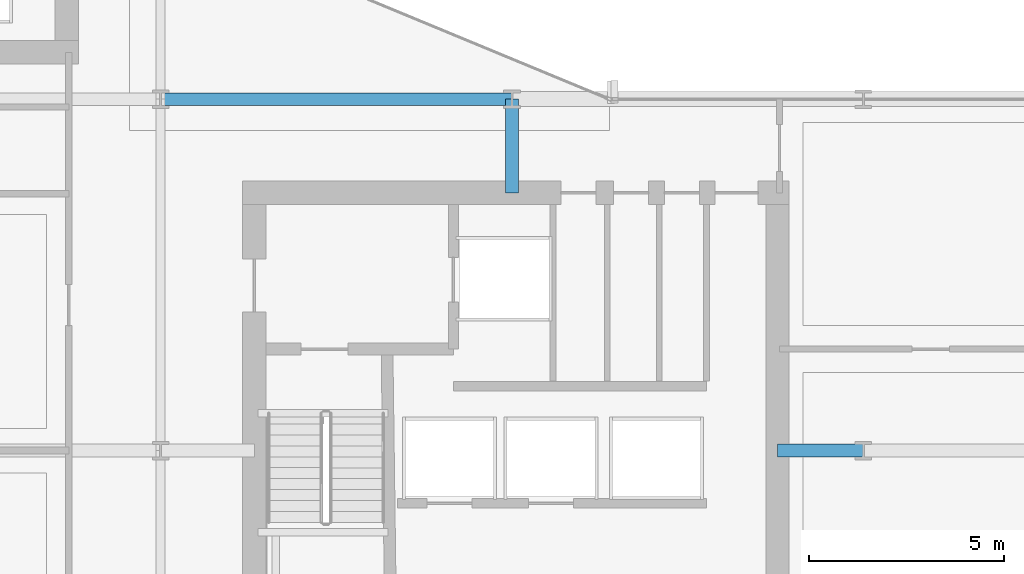
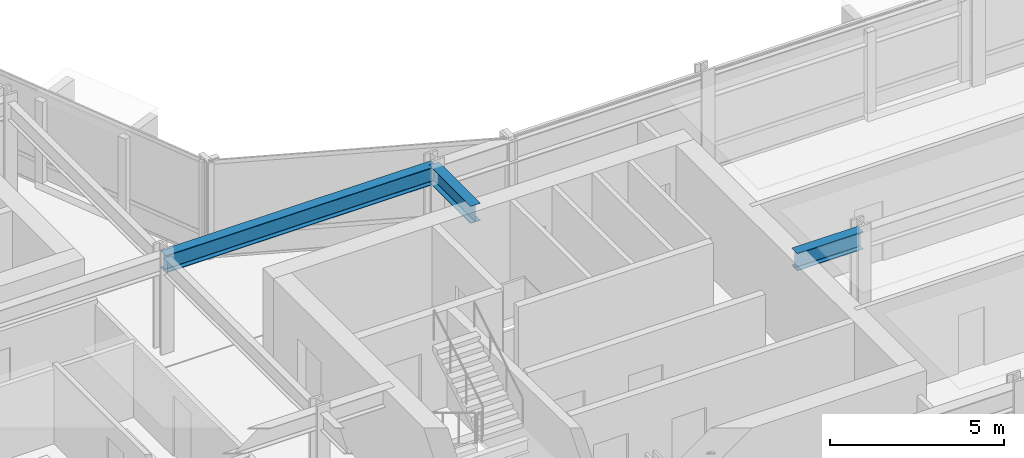
# One storey, part 14 of 34: 3 beams.
"""IFC4 building model written with IfcOpenShell, lengths in metres."""

from ifc_helpers import new_model, si_unit, direction, frame, origin, origin_2d, place, context, subcontext, project, spatial, i_section, extrude, material, material_profile, profile_set, type_object, element, save


model = new_model("IFC4")

# Units and contexts
model_context = context("Model", 3, precision=1e-05, world=origin(), true_north=direction((0.0, 1.0)))
body_context = subcontext(model_context, "Body", "Model", "MODEL_VIEW")
ifc_project = project(units=[si_unit("LENGTHUNIT", "METRE"), si_unit("AREAUNIT", "SQUARE_METRE"), si_unit("VOLUMEUNIT", "CUBIC_METRE"), si_unit("PLANEANGLEUNIT", "RADIAN"), si_unit("MASSUNIT", "GRAM", prefix="KILO")], contexts=[model_context])

# Site, building, storey
site_placement = place(None, origin())
site = spatial("IfcSite", under=ifc_project, at=site_placement, CompositionType="ELEMENT")
building_placement = place(site_placement, origin())
building = spatial("IfcBuilding", under=site, at=building_placement, Name="Solvaryn Broadcast Tower", CompositionType="ELEMENT")
storey_placement = place(building_placement, frame((0.0, 0.0, 73.0)))
storey = spatial("IfcBuildingStorey", under=building, at=storey_placement, Name="L17", CompositionType="ELEMENT", Elevation=73.0)

# Beams
ifc_material = material(Name="Steel ASTM A992 Grade 50", Category="steel")
ifc_material_profile = material_profile(ifc_material, i_section(OverallWidth=0.323974609375, OverallDepth=0.611083984375, WebThickness=0.0126953125, FlangeThickness=0.01904296875, FilletRadius=0.014892578125, at=origin_2d()))
ifc_profile_set = profile_set([ifc_material_profile], Name="Steel ASTM A992 Grade 50")
beam_type = type_object("IfcBeamType", Name="BM-B1-W24X104", PredefinedType="BEAM", material=ifc_profile_set)
beam_1_placement = place(storey_placement, frame((27.0, 27.0, 3.114501953125), z_axis=(1.0, 0.0, 0.0), x_axis=(0.0, 1.0, 0.0)))
element("IfcBeam", 1, at=beam_1_placement, inside=storey, type_object=beam_type, Name="L17 Primary Beam X (27-36 @ Y=27)", PredefinedType="BEAM", context=body_context, shape_type="SweptSolid", body=[
    extrude(i_section(OverallWidth=0.323974609375, OverallDepth=0.611083984375, WebThickness=0.0126953125, FlangeThickness=0.01904296875, FilletRadius=0.014892578125, at=origin_2d()), origin(), (0.0, 0.0, 1.0), 9.0),
])
beam_2_placement = place(storey_placement, frame((36.0, 24.60009765625, 3.114501953125), z_axis=(0.0, 1.0, 0.0), x_axis=(-1.0, 0.0, 0.0)))
element("IfcBeam", 2, at=beam_2_placement, inside=storey, type_object=beam_type, Name="L17 Core Tie Beam CTE2", PredefinedType="BEAM", context=body_context, shape_type="SweptSolid", body=[
    extrude(i_section(OverallWidth=0.323974609375, OverallDepth=0.611083984375, WebThickness=0.0126953125, FlangeThickness=0.01904296875, FilletRadius=0.014892578125, at=origin_2d()), origin(), (0.0, 0.0, 1.0), 2.39990234375),
])
beam_3_placement = place(storey_placement, frame((42.800048828125, 18.0, 3.114501953125), z_axis=(1.0, 0.0, 0.0), x_axis=(0.0, 1.0, 0.0)))
element("IfcBeam", 3, at=beam_3_placement, inside=storey, type_object=beam_type, Name="L17 Core Tie Beam CTE3", PredefinedType="BEAM", context=body_context, shape_type="SweptSolid", body=[
    extrude(i_section(OverallWidth=0.323974609375, OverallDepth=0.611083984375, WebThickness=0.0126953125, FlangeThickness=0.01904296875, FilletRadius=0.014892578125, at=origin_2d()), origin(), (0.0, 0.0, 1.0), 2.199951171875),
])

save(model, "model.ifc")
